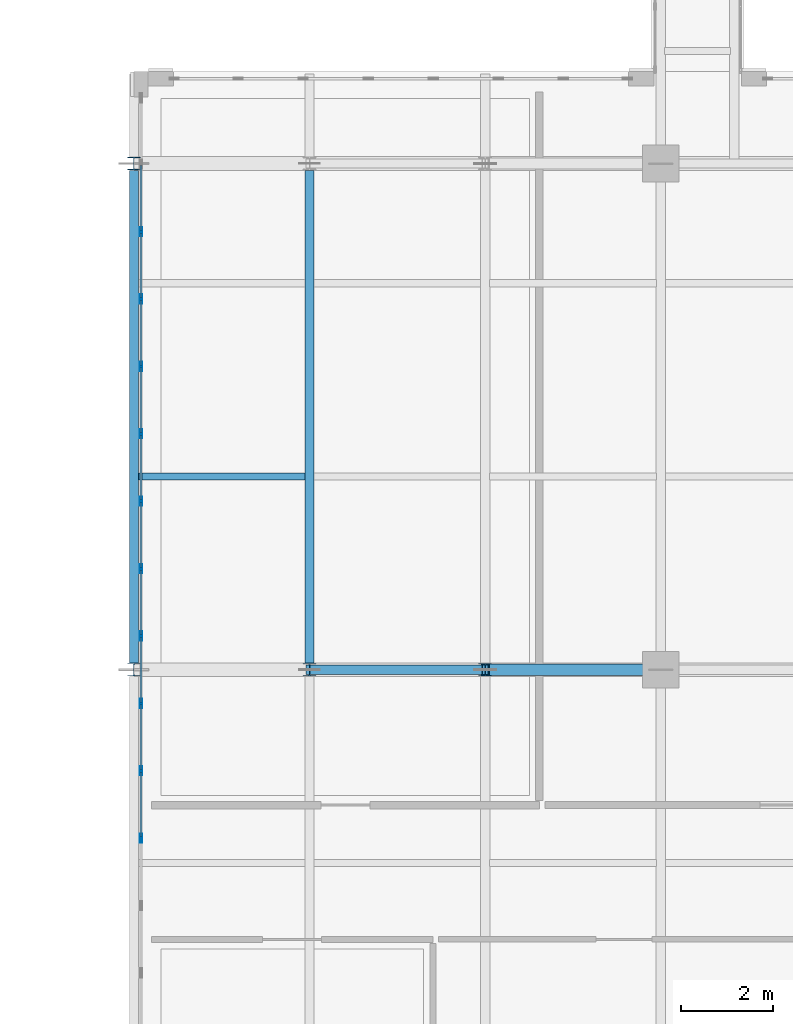
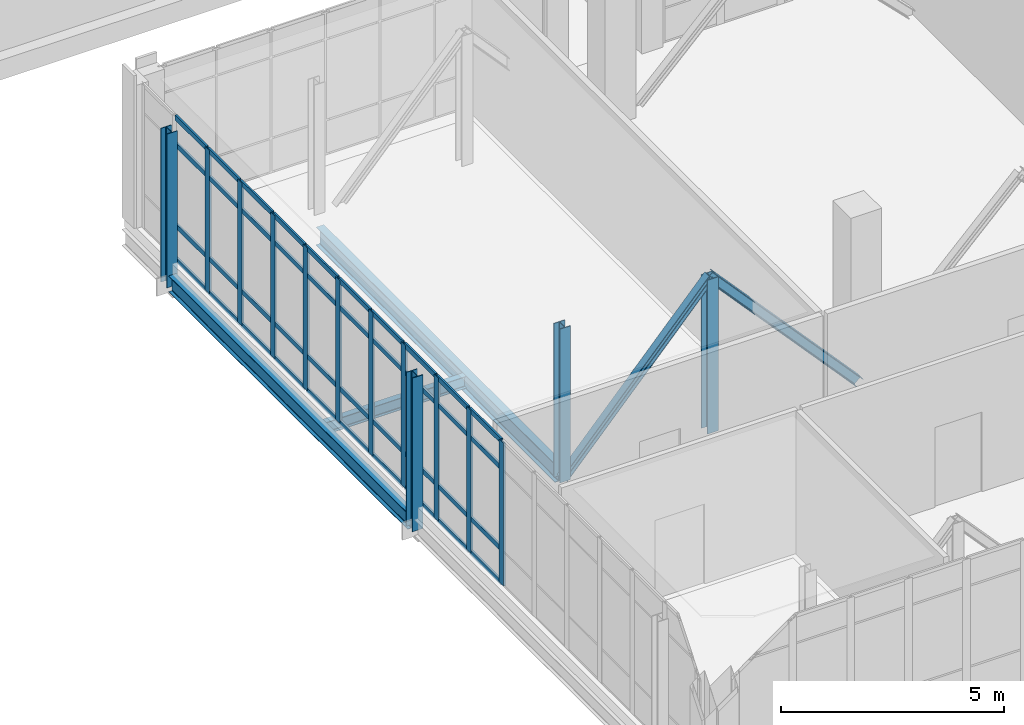
# One storey, part 6 of 193: 56 members, 3 beams, 1 element without a shape of its own.
"""IFC4 building model written with IfcOpenShell, lengths in metres."""

from ifc_helpers import new_model, si_unit, direction, frame, origin, origin_2d, place, context, subcontext, project, spatial, hollow_rectangle, i_section, extrude, material, layer, layer_set, material_profile, profile_set, type_object, element, aggregate, save


model = new_model("IFC4")

# Units and contexts
model_context = context("Model", 3, precision=1e-05, world=origin(), true_north=direction((0.0, 1.0)))
body_context = subcontext(model_context, "Body", "Model", "MODEL_VIEW")
ifc_project = project(units=[si_unit("LENGTHUNIT", "METRE"), si_unit("AREAUNIT", "SQUARE_METRE"), si_unit("VOLUMEUNIT", "CUBIC_METRE"), si_unit("PLANEANGLEUNIT", "RADIAN"), si_unit("MASSUNIT", "GRAM", prefix="KILO")], contexts=[model_context])

# Site, building, storey
site_placement = place(None, origin())
site = spatial("IfcSite", under=ifc_project, at=site_placement, CompositionType="ELEMENT")
building_placement = place(site_placement, origin())
building = spatial("IfcBuilding", under=site, at=building_placement, Name="Qalavern Law Courts", CompositionType="ELEMENT")
storey_placement = place(building_placement, frame((0.0, 0.0, 10.199951171875)))
storey = spatial("IfcBuildingStorey", under=building, at=storey_placement, Name="L02", CompositionType="ELEMENT", Elevation=10.199951171875)

# Curtain wall, members
ifc_material_1 = material(Name="Anodised aluminium and insulated glazing", Category="aluminium")
ifc_layer = layer(ifc_material_1, 0.199951171875)
ifc_layer_set = layer_set([ifc_layer], Name="Anodised aluminium and insulated glazing")
curtain_wall_type = type_object("IfcCurtainWallType", Name="ENV-CW-FOYER", PredefinedType="USERDEFINED", material=ifc_layer_set)
curtain_wall_placement = place(storey_placement, origin())
curtain_wall = element("IfcCurtainWall", 1, at=curtain_wall_placement, inside=storey, type_object=curtain_wall_type, Name="V1 unitised curtain wall L02 west 1", ObjectType="UNITISED CURTAIN WALL", PredefinedType="USERDEFINED")
ifc_material_2 = material(Name="Anodised aluminium", Category="aluminium")
ifc_material_profile_1 = material_profile(ifc_material_2, hollow_rectangle(XDim=0.048095703125, YDim=0.199951171875, WallThickness=0.00439453125, at=origin_2d()), Name="ALU MULLION 48x200")
ifc_profile_set_1 = profile_set([ifc_material_profile_1], Name="Anodised aluminium")
member_type_1 = type_object("IfcMemberType", Name="ENV-CWM-48x200", PredefinedType="MULLION", material=ifc_profile_set_1)
member_1_placement = place(storey_placement, frame((5.5048828125, 30.5205078125, 0.0), z_axis=(0.0, 0.0, 1.0), x_axis=(1.0, 0.0, 0.0)))
member_1 = element("IfcMember", 2, at=member_1_placement, type_object=member_type_1, Name="CW-01 mullion 3", PredefinedType="MULLION", context=body_context, shape_type="SweptSolid", body=[
    extrude(hollow_rectangle(XDim=0.048095703125, YDim=0.199951171875, WallThickness=0.00439453125, at=origin_2d()), origin(), (0.0, 0.0, 1.0), 3.9150390625),
])
member_2_placement = place(storey_placement, frame((5.5048828125, 29.055908203125, 0.0), z_axis=(0.0, 0.0, 1.0), x_axis=(1.0, 0.0, 0.0)))
member_2 = element("IfcMember", 3, at=member_2_placement, type_object=member_type_1, Name="CW-01 mullion 4", PredefinedType="MULLION", context=body_context, shape_type="SweptSolid", body=[
    extrude(hollow_rectangle(XDim=0.048095703125, YDim=0.199951171875, WallThickness=0.00439453125, at=origin_2d()), origin(), (0.0, 0.0, 1.0), 3.9150390625),
])
member_3_placement = place(storey_placement, frame((5.5048828125, 27.591064453125, 0.0), z_axis=(0.0, 0.0, 1.0), x_axis=(1.0, 0.0, 0.0)))
member_3 = element("IfcMember", 4, at=member_3_placement, type_object=member_type_1, Name="CW-01 mullion 5", PredefinedType="MULLION", context=body_context, shape_type="SweptSolid", body=[
    extrude(hollow_rectangle(XDim=0.048095703125, YDim=0.199951171875, WallThickness=0.00439453125, at=origin_2d()), origin(), (0.0, 0.0, 1.0), 3.9150390625),
])
member_4_placement = place(storey_placement, frame((5.5048828125, 26.12646484375, 0.0), z_axis=(0.0, 0.0, 1.0), x_axis=(1.0, 0.0, 0.0)))
member_4 = element("IfcMember", 5, at=member_4_placement, type_object=member_type_1, Name="CW-01 mullion 6", PredefinedType="MULLION", context=body_context, shape_type="SweptSolid", body=[
    extrude(hollow_rectangle(XDim=0.048095703125, YDim=0.199951171875, WallThickness=0.00439453125, at=origin_2d()), origin(), (0.0, 0.0, 1.0), 3.9150390625),
])
member_5_placement = place(storey_placement, frame((5.5048828125, 24.661865234375, 0.0), z_axis=(0.0, 0.0, 1.0), x_axis=(1.0, 0.0, 0.0)))
member_5 = element("IfcMember", 6, at=member_5_placement, type_object=member_type_1, Name="CW-01 mullion 7", PredefinedType="MULLION", context=body_context, shape_type="SweptSolid", body=[
    extrude(hollow_rectangle(XDim=0.048095703125, YDim=0.199951171875, WallThickness=0.00439453125, at=origin_2d()), origin(), (0.0, 0.0, 1.0), 3.9150390625),
])
member_6_placement = place(storey_placement, frame((5.5048828125, 23.197021484375, 0.0), z_axis=(0.0, 0.0, 1.0), x_axis=(1.0, 0.0, 0.0)))
member_6 = element("IfcMember", 7, at=member_6_placement, type_object=member_type_1, Name="CW-01 mullion 8", PredefinedType="MULLION", context=body_context, shape_type="SweptSolid", body=[
    extrude(hollow_rectangle(XDim=0.048095703125, YDim=0.199951171875, WallThickness=0.00439453125, at=origin_2d()), origin(), (0.0, 0.0, 1.0), 3.9150390625),
])
member_7_placement = place(storey_placement, frame((5.5048828125, 21.732421875, 0.0), z_axis=(0.0, 0.0, 1.0), x_axis=(1.0, 0.0, 0.0)))
member_7 = element("IfcMember", 8, at=member_7_placement, type_object=member_type_1, Name="CW-01 mullion 9", PredefinedType="MULLION", context=body_context, shape_type="SweptSolid", body=[
    extrude(hollow_rectangle(XDim=0.048095703125, YDim=0.199951171875, WallThickness=0.00439453125, at=origin_2d()), origin(), (0.0, 0.0, 1.0), 3.9150390625),
])
member_8_placement = place(storey_placement, frame((5.5048828125, 20.267578125, 0.0), z_axis=(0.0, 0.0, 1.0), x_axis=(1.0, 0.0, 0.0)))
member_8 = element("IfcMember", 9, at=member_8_placement, type_object=member_type_1, Name="CW-01 mullion 10", PredefinedType="MULLION", context=body_context, shape_type="SweptSolid", body=[
    extrude(hollow_rectangle(XDim=0.048095703125, YDim=0.199951171875, WallThickness=0.00439453125, at=origin_2d()), origin(), (0.0, 0.0, 1.0), 3.9150390625),
])
member_9_placement = place(storey_placement, frame((5.5048828125, 18.802978515625, 0.0), z_axis=(0.0, 0.0, 1.0), x_axis=(1.0, 0.0, 0.0)))
member_9 = element("IfcMember", 10, at=member_9_placement, type_object=member_type_1, Name="CW-01 mullion 11", PredefinedType="MULLION", context=body_context, shape_type="SweptSolid", body=[
    extrude(hollow_rectangle(XDim=0.048095703125, YDim=0.199951171875, WallThickness=0.00439453125, at=origin_2d()), origin(), (0.0, 0.0, 1.0), 3.9150390625),
])
member_10_placement = place(storey_placement, frame((5.5048828125, 17.338134765625, 0.0), z_axis=(0.0, 0.0, 1.0), x_axis=(1.0, 0.0, 0.0)))
member_10 = element("IfcMember", 11, at=member_10_placement, type_object=member_type_1, Name="CW-01 mullion 12", PredefinedType="MULLION", context=body_context, shape_type="SweptSolid", body=[
    extrude(hollow_rectangle(XDim=0.048095703125, YDim=0.199951171875, WallThickness=0.00439453125, at=origin_2d()), origin(), (0.0, 0.0, 1.0), 3.9150390625),
])
ifc_material_profile_2 = material_profile(ifc_material_2, hollow_rectangle(XDim=0.048095703125, YDim=0.139892578125, WallThickness=0.00390625, at=origin_2d()), Name="ALU TRANSOM 48x140")
ifc_profile_set_2 = profile_set([ifc_material_profile_2], Name="Anodised aluminium")
member_type_2 = type_object("IfcMemberType", Name="ENV-CWT-48x140", PredefinedType="USERDEFINED", material=ifc_profile_set_2)
member_11_placement = place(storey_placement, frame((5.5048828125, 31.961181640625, 0.024169921875), z_axis=(0.0, -1.0, 0.0), x_axis=(1.0, 0.0, 0.0)))
member_11 = element("IfcMember", 12, at=member_11_placement, type_object=member_type_2, Name="CW-01 transom 2.1", ObjectType="TRANSOM", PredefinedType="USERDEFINED", context=body_context, shape_type="SweptSolid", body=[
    extrude(hollow_rectangle(XDim=0.048095703125, YDim=0.139892578125, WallThickness=0.00390625, at=origin_2d()), origin(), (0.0, 0.0, 1.0), 1.41650390625),
])
member_12_placement = place(storey_placement, frame((5.5048828125, 31.961181640625, 0.949951171875), z_axis=(0.0, -1.0, 0.0), x_axis=(1.0, 0.0, 0.0)))
member_12 = element("IfcMember", 13, at=member_12_placement, type_object=member_type_2, Name="CW-01 transom 2.2", ObjectType="TRANSOM", PredefinedType="USERDEFINED", context=body_context, shape_type="SweptSolid", body=[
    extrude(hollow_rectangle(XDim=0.048095703125, YDim=0.139892578125, WallThickness=0.00390625, at=origin_2d()), origin(), (0.0, 0.0, 1.0), 1.41650390625),
])
member_13_placement = place(storey_placement, frame((5.5048828125, 31.961181640625, 3.1650390625), z_axis=(0.0, -1.0, 0.0), x_axis=(1.0, 0.0, 0.0)))
member_13 = element("IfcMember", 14, at=member_13_placement, type_object=member_type_2, Name="CW-01 transom 2.3", ObjectType="TRANSOM", PredefinedType="USERDEFINED", context=body_context, shape_type="SweptSolid", body=[
    extrude(hollow_rectangle(XDim=0.048095703125, YDim=0.139892578125, WallThickness=0.00390625, at=origin_2d()), origin(), (0.0, 0.0, 1.0), 1.41650390625),
])
member_14_placement = place(storey_placement, frame((5.5048828125, 31.961181640625, 3.89111328125), z_axis=(0.0, -1.0, 0.0), x_axis=(1.0, 0.0, 0.0)))
member_14 = element("IfcMember", 15, at=member_14_placement, type_object=member_type_2, Name="CW-01 transom 2.4", ObjectType="TRANSOM", PredefinedType="USERDEFINED", context=body_context, shape_type="SweptSolid", body=[
    extrude(hollow_rectangle(XDim=0.048095703125, YDim=0.139892578125, WallThickness=0.00390625, at=origin_2d()), origin(), (0.0, 0.0, 1.0), 1.41650390625),
])
member_15_placement = place(storey_placement, frame((5.5048828125, 30.49658203125, 0.024169921875), z_axis=(0.0, -1.0, 0.0), x_axis=(1.0, 0.0, 0.0)))
member_15 = element("IfcMember", 16, at=member_15_placement, type_object=member_type_2, Name="CW-01 transom 3.1", ObjectType="TRANSOM", PredefinedType="USERDEFINED", context=body_context, shape_type="SweptSolid", body=[
    extrude(hollow_rectangle(XDim=0.048095703125, YDim=0.139892578125, WallThickness=0.00390625, at=origin_2d()), origin(), (0.0, 0.0, 1.0), 1.416748046875),
])
member_16_placement = place(storey_placement, frame((5.5048828125, 30.49658203125, 0.949951171875), z_axis=(0.0, -1.0, 0.0), x_axis=(1.0, 0.0, 0.0)))
member_16 = element("IfcMember", 17, at=member_16_placement, type_object=member_type_2, Name="CW-01 transom 3.2", ObjectType="TRANSOM", PredefinedType="USERDEFINED", context=body_context, shape_type="SweptSolid", body=[
    extrude(hollow_rectangle(XDim=0.048095703125, YDim=0.139892578125, WallThickness=0.00390625, at=origin_2d()), origin(), (0.0, 0.0, 1.0), 1.416748046875),
])
member_17_placement = place(storey_placement, frame((5.5048828125, 30.49658203125, 3.1650390625), z_axis=(0.0, -1.0, 0.0), x_axis=(1.0, 0.0, 0.0)))
member_17 = element("IfcMember", 18, at=member_17_placement, type_object=member_type_2, Name="CW-01 transom 3.3", ObjectType="TRANSOM", PredefinedType="USERDEFINED", context=body_context, shape_type="SweptSolid", body=[
    extrude(hollow_rectangle(XDim=0.048095703125, YDim=0.139892578125, WallThickness=0.00390625, at=origin_2d()), origin(), (0.0, 0.0, 1.0), 1.416748046875),
])
member_18_placement = place(storey_placement, frame((5.5048828125, 30.49658203125, 3.89111328125), z_axis=(0.0, -1.0, 0.0), x_axis=(1.0, 0.0, 0.0)))
member_18 = element("IfcMember", 19, at=member_18_placement, type_object=member_type_2, Name="CW-01 transom 3.4", ObjectType="TRANSOM", PredefinedType="USERDEFINED", context=body_context, shape_type="SweptSolid", body=[
    extrude(hollow_rectangle(XDim=0.048095703125, YDim=0.139892578125, WallThickness=0.00390625, at=origin_2d()), origin(), (0.0, 0.0, 1.0), 1.416748046875),
])
member_19_placement = place(storey_placement, frame((5.5048828125, 29.031982421875, 0.024169921875), z_axis=(0.0, -1.0, 0.0), x_axis=(1.0, 0.0, 0.0)))
member_19 = element("IfcMember", 20, at=member_19_placement, type_object=member_type_2, Name="CW-01 transom 4.1", ObjectType="TRANSOM", PredefinedType="USERDEFINED", context=body_context, shape_type="SweptSolid", body=[
    extrude(hollow_rectangle(XDim=0.048095703125, YDim=0.139892578125, WallThickness=0.00390625, at=origin_2d()), origin(), (0.0, 0.0, 1.0), 1.416748046875),
])
member_20_placement = place(storey_placement, frame((5.5048828125, 29.031982421875, 0.949951171875), z_axis=(0.0, -1.0, 0.0), x_axis=(1.0, 0.0, 0.0)))
member_20 = element("IfcMember", 21, at=member_20_placement, type_object=member_type_2, Name="CW-01 transom 4.2", ObjectType="TRANSOM", PredefinedType="USERDEFINED", context=body_context, shape_type="SweptSolid", body=[
    extrude(hollow_rectangle(XDim=0.048095703125, YDim=0.139892578125, WallThickness=0.00390625, at=origin_2d()), origin(), (0.0, 0.0, 1.0), 1.416748046875),
])
member_21_placement = place(storey_placement, frame((5.5048828125, 29.031982421875, 3.1650390625), z_axis=(0.0, -1.0, 0.0), x_axis=(1.0, 0.0, 0.0)))
member_21 = element("IfcMember", 22, at=member_21_placement, type_object=member_type_2, Name="CW-01 transom 4.3", ObjectType="TRANSOM", PredefinedType="USERDEFINED", context=body_context, shape_type="SweptSolid", body=[
    extrude(hollow_rectangle(XDim=0.048095703125, YDim=0.139892578125, WallThickness=0.00390625, at=origin_2d()), origin(), (0.0, 0.0, 1.0), 1.416748046875),
])
member_22_placement = place(storey_placement, frame((5.5048828125, 29.031982421875, 3.89111328125), z_axis=(0.0, -1.0, 0.0), x_axis=(1.0, 0.0, 0.0)))
member_22 = element("IfcMember", 23, at=member_22_placement, type_object=member_type_2, Name="CW-01 transom 4.4", ObjectType="TRANSOM", PredefinedType="USERDEFINED", context=body_context, shape_type="SweptSolid", body=[
    extrude(hollow_rectangle(XDim=0.048095703125, YDim=0.139892578125, WallThickness=0.00390625, at=origin_2d()), origin(), (0.0, 0.0, 1.0), 1.416748046875),
])
member_23_placement = place(storey_placement, frame((5.5048828125, 27.567138671875, 0.024169921875), z_axis=(0.0, -1.0, 0.0), x_axis=(1.0, 0.0, 0.0)))
member_23 = element("IfcMember", 24, at=member_23_placement, type_object=member_type_2, Name="CW-01 transom 5.1", ObjectType="TRANSOM", PredefinedType="USERDEFINED", context=body_context, shape_type="SweptSolid", body=[
    extrude(hollow_rectangle(XDim=0.048095703125, YDim=0.139892578125, WallThickness=0.00390625, at=origin_2d()), origin(), (0.0, 0.0, 1.0), 1.416748046875),
])
member_24_placement = place(storey_placement, frame((5.5048828125, 27.567138671875, 0.949951171875), z_axis=(0.0, -1.0, 0.0), x_axis=(1.0, 0.0, 0.0)))
member_24 = element("IfcMember", 25, at=member_24_placement, type_object=member_type_2, Name="CW-01 transom 5.2", ObjectType="TRANSOM", PredefinedType="USERDEFINED", context=body_context, shape_type="SweptSolid", body=[
    extrude(hollow_rectangle(XDim=0.048095703125, YDim=0.139892578125, WallThickness=0.00390625, at=origin_2d()), origin(), (0.0, 0.0, 1.0), 1.416748046875),
])
member_25_placement = place(storey_placement, frame((5.5048828125, 27.567138671875, 3.1650390625), z_axis=(0.0, -1.0, 0.0), x_axis=(1.0, 0.0, 0.0)))
member_25 = element("IfcMember", 26, at=member_25_placement, type_object=member_type_2, Name="CW-01 transom 5.3", ObjectType="TRANSOM", PredefinedType="USERDEFINED", context=body_context, shape_type="SweptSolid", body=[
    extrude(hollow_rectangle(XDim=0.048095703125, YDim=0.139892578125, WallThickness=0.00390625, at=origin_2d()), origin(), (0.0, 0.0, 1.0), 1.416748046875),
])
member_26_placement = place(storey_placement, frame((5.5048828125, 27.567138671875, 3.89111328125), z_axis=(0.0, -1.0, 0.0), x_axis=(1.0, 0.0, 0.0)))
member_26 = element("IfcMember", 27, at=member_26_placement, type_object=member_type_2, Name="CW-01 transom 5.4", ObjectType="TRANSOM", PredefinedType="USERDEFINED", context=body_context, shape_type="SweptSolid", body=[
    extrude(hollow_rectangle(XDim=0.048095703125, YDim=0.139892578125, WallThickness=0.00390625, at=origin_2d()), origin(), (0.0, 0.0, 1.0), 1.416748046875),
])
member_27_placement = place(storey_placement, frame((5.5048828125, 26.1025390625, 0.024169921875), z_axis=(0.0, -1.0, 0.0), x_axis=(1.0, 0.0, 0.0)))
member_27 = element("IfcMember", 28, at=member_27_placement, type_object=member_type_2, Name="CW-01 transom 6.1", ObjectType="TRANSOM", PredefinedType="USERDEFINED", context=body_context, shape_type="SweptSolid", body=[
    extrude(hollow_rectangle(XDim=0.048095703125, YDim=0.139892578125, WallThickness=0.00390625, at=origin_2d()), origin(), (0.0, 0.0, 1.0), 1.416748046875),
])
member_28_placement = place(storey_placement, frame((5.5048828125, 26.1025390625, 0.949951171875), z_axis=(0.0, -1.0, 0.0), x_axis=(1.0, 0.0, 0.0)))
member_28 = element("IfcMember", 29, at=member_28_placement, type_object=member_type_2, Name="CW-01 transom 6.2", ObjectType="TRANSOM", PredefinedType="USERDEFINED", context=body_context, shape_type="SweptSolid", body=[
    extrude(hollow_rectangle(XDim=0.048095703125, YDim=0.139892578125, WallThickness=0.00390625, at=origin_2d()), origin(), (0.0, 0.0, 1.0), 1.416748046875),
])
member_29_placement = place(storey_placement, frame((5.5048828125, 26.1025390625, 3.1650390625), z_axis=(0.0, -1.0, 0.0), x_axis=(1.0, 0.0, 0.0)))
member_29 = element("IfcMember", 30, at=member_29_placement, type_object=member_type_2, Name="CW-01 transom 6.3", ObjectType="TRANSOM", PredefinedType="USERDEFINED", context=body_context, shape_type="SweptSolid", body=[
    extrude(hollow_rectangle(XDim=0.048095703125, YDim=0.139892578125, WallThickness=0.00390625, at=origin_2d()), origin(), (0.0, 0.0, 1.0), 1.416748046875),
])
member_30_placement = place(storey_placement, frame((5.5048828125, 26.1025390625, 3.89111328125), z_axis=(0.0, -1.0, 0.0), x_axis=(1.0, 0.0, 0.0)))
member_30 = element("IfcMember", 31, at=member_30_placement, type_object=member_type_2, Name="CW-01 transom 6.4", ObjectType="TRANSOM", PredefinedType="USERDEFINED", context=body_context, shape_type="SweptSolid", body=[
    extrude(hollow_rectangle(XDim=0.048095703125, YDim=0.139892578125, WallThickness=0.00390625, at=origin_2d()), origin(), (0.0, 0.0, 1.0), 1.416748046875),
])
member_31_placement = place(storey_placement, frame((5.5048828125, 24.6376953125, 0.024169921875), z_axis=(0.0, -1.0, 0.0), x_axis=(1.0, 0.0, 0.0)))
member_31 = element("IfcMember", 32, at=member_31_placement, type_object=member_type_2, Name="CW-01 transom 7.1", ObjectType="TRANSOM", PredefinedType="USERDEFINED", context=body_context, shape_type="SweptSolid", body=[
    extrude(hollow_rectangle(XDim=0.048095703125, YDim=0.139892578125, WallThickness=0.00390625, at=origin_2d()), origin(), (0.0, 0.0, 1.0), 1.416748046875),
])
member_32_placement = place(storey_placement, frame((5.5048828125, 24.6376953125, 0.949951171875), z_axis=(0.0, -1.0, 0.0), x_axis=(1.0, 0.0, 0.0)))
member_32 = element("IfcMember", 33, at=member_32_placement, type_object=member_type_2, Name="CW-01 transom 7.2", ObjectType="TRANSOM", PredefinedType="USERDEFINED", context=body_context, shape_type="SweptSolid", body=[
    extrude(hollow_rectangle(XDim=0.048095703125, YDim=0.139892578125, WallThickness=0.00390625, at=origin_2d()), origin(), (0.0, 0.0, 1.0), 1.416748046875),
])
member_33_placement = place(storey_placement, frame((5.5048828125, 24.6376953125, 3.1650390625), z_axis=(0.0, -1.0, 0.0), x_axis=(1.0, 0.0, 0.0)))
member_33 = element("IfcMember", 34, at=member_33_placement, type_object=member_type_2, Name="CW-01 transom 7.3", ObjectType="TRANSOM", PredefinedType="USERDEFINED", context=body_context, shape_type="SweptSolid", body=[
    extrude(hollow_rectangle(XDim=0.048095703125, YDim=0.139892578125, WallThickness=0.00390625, at=origin_2d()), origin(), (0.0, 0.0, 1.0), 1.416748046875),
])
member_34_placement = place(storey_placement, frame((5.5048828125, 24.6376953125, 3.89111328125), z_axis=(0.0, -1.0, 0.0), x_axis=(1.0, 0.0, 0.0)))
member_34 = element("IfcMember", 35, at=member_34_placement, type_object=member_type_2, Name="CW-01 transom 7.4", ObjectType="TRANSOM", PredefinedType="USERDEFINED", context=body_context, shape_type="SweptSolid", body=[
    extrude(hollow_rectangle(XDim=0.048095703125, YDim=0.139892578125, WallThickness=0.00390625, at=origin_2d()), origin(), (0.0, 0.0, 1.0), 1.416748046875),
])
member_35_placement = place(storey_placement, frame((5.5048828125, 23.173095703125, 0.024169921875), z_axis=(0.0, -1.0, 0.0), x_axis=(1.0, 0.0, 0.0)))
member_35 = element("IfcMember", 36, at=member_35_placement, type_object=member_type_2, Name="CW-01 transom 8.1", ObjectType="TRANSOM", PredefinedType="USERDEFINED", context=body_context, shape_type="SweptSolid", body=[
    extrude(hollow_rectangle(XDim=0.048095703125, YDim=0.139892578125, WallThickness=0.00390625, at=origin_2d()), origin(), (0.0, 0.0, 1.0), 1.416748046875),
])
member_36_placement = place(storey_placement, frame((5.5048828125, 23.173095703125, 0.949951171875), z_axis=(0.0, -1.0, 0.0), x_axis=(1.0, 0.0, 0.0)))
member_36 = element("IfcMember", 37, at=member_36_placement, type_object=member_type_2, Name="CW-01 transom 8.2", ObjectType="TRANSOM", PredefinedType="USERDEFINED", context=body_context, shape_type="SweptSolid", body=[
    extrude(hollow_rectangle(XDim=0.048095703125, YDim=0.139892578125, WallThickness=0.00390625, at=origin_2d()), origin(), (0.0, 0.0, 1.0), 1.416748046875),
])
member_37_placement = place(storey_placement, frame((5.5048828125, 23.173095703125, 3.1650390625), z_axis=(0.0, -1.0, 0.0), x_axis=(1.0, 0.0, 0.0)))
member_37 = element("IfcMember", 38, at=member_37_placement, type_object=member_type_2, Name="CW-01 transom 8.3", ObjectType="TRANSOM", PredefinedType="USERDEFINED", context=body_context, shape_type="SweptSolid", body=[
    extrude(hollow_rectangle(XDim=0.048095703125, YDim=0.139892578125, WallThickness=0.00390625, at=origin_2d()), origin(), (0.0, 0.0, 1.0), 1.416748046875),
])
member_38_placement = place(storey_placement, frame((5.5048828125, 23.173095703125, 3.89111328125), z_axis=(0.0, -1.0, 0.0), x_axis=(1.0, 0.0, 0.0)))
member_38 = element("IfcMember", 39, at=member_38_placement, type_object=member_type_2, Name="CW-01 transom 8.4", ObjectType="TRANSOM", PredefinedType="USERDEFINED", context=body_context, shape_type="SweptSolid", body=[
    extrude(hollow_rectangle(XDim=0.048095703125, YDim=0.139892578125, WallThickness=0.00390625, at=origin_2d()), origin(), (0.0, 0.0, 1.0), 1.416748046875),
])
member_39_placement = place(storey_placement, frame((5.5048828125, 21.708251953125, 0.024169921875), z_axis=(0.0, -1.0, 0.0), x_axis=(1.0, 0.0, 0.0)))
member_39 = element("IfcMember", 40, at=member_39_placement, type_object=member_type_2, Name="CW-01 transom 9.1", ObjectType="TRANSOM", PredefinedType="USERDEFINED", context=body_context, shape_type="SweptSolid", body=[
    extrude(hollow_rectangle(XDim=0.048095703125, YDim=0.139892578125, WallThickness=0.00390625, at=origin_2d()), origin(), (0.0, 0.0, 1.0), 1.41650390625),
])
member_40_placement = place(storey_placement, frame((5.5048828125, 21.708251953125, 0.949951171875), z_axis=(0.0, -1.0, 0.0), x_axis=(1.0, 0.0, 0.0)))
member_40 = element("IfcMember", 41, at=member_40_placement, type_object=member_type_2, Name="CW-01 transom 9.2", ObjectType="TRANSOM", PredefinedType="USERDEFINED", context=body_context, shape_type="SweptSolid", body=[
    extrude(hollow_rectangle(XDim=0.048095703125, YDim=0.139892578125, WallThickness=0.00390625, at=origin_2d()), origin(), (0.0, 0.0, 1.0), 1.41650390625),
])
member_41_placement = place(storey_placement, frame((5.5048828125, 21.708251953125, 3.1650390625), z_axis=(0.0, -1.0, 0.0), x_axis=(1.0, 0.0, 0.0)))
member_41 = element("IfcMember", 42, at=member_41_placement, type_object=member_type_2, Name="CW-01 transom 9.3", ObjectType="TRANSOM", PredefinedType="USERDEFINED", context=body_context, shape_type="SweptSolid", body=[
    extrude(hollow_rectangle(XDim=0.048095703125, YDim=0.139892578125, WallThickness=0.00390625, at=origin_2d()), origin(), (0.0, 0.0, 1.0), 1.41650390625),
])
member_42_placement = place(storey_placement, frame((5.5048828125, 21.708251953125, 3.89111328125), z_axis=(0.0, -1.0, 0.0), x_axis=(1.0, 0.0, 0.0)))
member_42 = element("IfcMember", 43, at=member_42_placement, type_object=member_type_2, Name="CW-01 transom 9.4", ObjectType="TRANSOM", PredefinedType="USERDEFINED", context=body_context, shape_type="SweptSolid", body=[
    extrude(hollow_rectangle(XDim=0.048095703125, YDim=0.139892578125, WallThickness=0.00390625, at=origin_2d()), origin(), (0.0, 0.0, 1.0), 1.41650390625),
])
member_43_placement = place(storey_placement, frame((5.5048828125, 20.24365234375, 0.024169921875), z_axis=(0.0, -1.0, 0.0), x_axis=(1.0, 0.0, 0.0)))
member_43 = element("IfcMember", 44, at=member_43_placement, type_object=member_type_2, Name="CW-01 transom 10.1", ObjectType="TRANSOM", PredefinedType="USERDEFINED", context=body_context, shape_type="SweptSolid", body=[
    extrude(hollow_rectangle(XDim=0.048095703125, YDim=0.139892578125, WallThickness=0.00390625, at=origin_2d()), origin(), (0.0, 0.0, 1.0), 1.416748046875),
])
member_44_placement = place(storey_placement, frame((5.5048828125, 20.24365234375, 0.949951171875), z_axis=(0.0, -1.0, 0.0), x_axis=(1.0, 0.0, 0.0)))
member_44 = element("IfcMember", 45, at=member_44_placement, type_object=member_type_2, Name="CW-01 transom 10.2", ObjectType="TRANSOM", PredefinedType="USERDEFINED", context=body_context, shape_type="SweptSolid", body=[
    extrude(hollow_rectangle(XDim=0.048095703125, YDim=0.139892578125, WallThickness=0.00390625, at=origin_2d()), origin(), (0.0, 0.0, 1.0), 1.416748046875),
])
member_45_placement = place(storey_placement, frame((5.5048828125, 20.24365234375, 3.1650390625), z_axis=(0.0, -1.0, 0.0), x_axis=(1.0, 0.0, 0.0)))
member_45 = element("IfcMember", 46, at=member_45_placement, type_object=member_type_2, Name="CW-01 transom 10.3", ObjectType="TRANSOM", PredefinedType="USERDEFINED", context=body_context, shape_type="SweptSolid", body=[
    extrude(hollow_rectangle(XDim=0.048095703125, YDim=0.139892578125, WallThickness=0.00390625, at=origin_2d()), origin(), (0.0, 0.0, 1.0), 1.416748046875),
])
member_46_placement = place(storey_placement, frame((5.5048828125, 20.24365234375, 3.89111328125), z_axis=(0.0, -1.0, 0.0), x_axis=(1.0, 0.0, 0.0)))
member_46 = element("IfcMember", 47, at=member_46_placement, type_object=member_type_2, Name="CW-01 transom 10.4", ObjectType="TRANSOM", PredefinedType="USERDEFINED", context=body_context, shape_type="SweptSolid", body=[
    extrude(hollow_rectangle(XDim=0.048095703125, YDim=0.139892578125, WallThickness=0.00390625, at=origin_2d()), origin(), (0.0, 0.0, 1.0), 1.416748046875),
])
member_47_placement = place(storey_placement, frame((5.5048828125, 18.779052734375, 0.024169921875), z_axis=(0.0, -1.0, 0.0), x_axis=(1.0, 0.0, 0.0)))
member_47 = element("IfcMember", 48, at=member_47_placement, type_object=member_type_2, Name="CW-01 transom 11.1", ObjectType="TRANSOM", PredefinedType="USERDEFINED", context=body_context, shape_type="SweptSolid", body=[
    extrude(hollow_rectangle(XDim=0.048095703125, YDim=0.139892578125, WallThickness=0.00390625, at=origin_2d()), origin(), (0.0, 0.0, 1.0), 1.416748046875),
])
member_48_placement = place(storey_placement, frame((5.5048828125, 18.779052734375, 0.949951171875), z_axis=(0.0, -1.0, 0.0), x_axis=(1.0, 0.0, 0.0)))
member_48 = element("IfcMember", 49, at=member_48_placement, type_object=member_type_2, Name="CW-01 transom 11.2", ObjectType="TRANSOM", PredefinedType="USERDEFINED", context=body_context, shape_type="SweptSolid", body=[
    extrude(hollow_rectangle(XDim=0.048095703125, YDim=0.139892578125, WallThickness=0.00390625, at=origin_2d()), origin(), (0.0, 0.0, 1.0), 1.416748046875),
])
member_49_placement = place(storey_placement, frame((5.5048828125, 18.779052734375, 3.1650390625), z_axis=(0.0, -1.0, 0.0), x_axis=(1.0, 0.0, 0.0)))
member_49 = element("IfcMember", 50, at=member_49_placement, type_object=member_type_2, Name="CW-01 transom 11.3", ObjectType="TRANSOM", PredefinedType="USERDEFINED", context=body_context, shape_type="SweptSolid", body=[
    extrude(hollow_rectangle(XDim=0.048095703125, YDim=0.139892578125, WallThickness=0.00390625, at=origin_2d()), origin(), (0.0, 0.0, 1.0), 1.416748046875),
])
member_50_placement = place(storey_placement, frame((5.5048828125, 18.779052734375, 3.89111328125), z_axis=(0.0, -1.0, 0.0), x_axis=(1.0, 0.0, 0.0)))
member_50 = element("IfcMember", 51, at=member_50_placement, type_object=member_type_2, Name="CW-01 transom 11.4", ObjectType="TRANSOM", PredefinedType="USERDEFINED", context=body_context, shape_type="SweptSolid", body=[
    extrude(hollow_rectangle(XDim=0.048095703125, YDim=0.139892578125, WallThickness=0.00390625, at=origin_2d()), origin(), (0.0, 0.0, 1.0), 1.416748046875),
])
aggregate(curtain_wall, [member_1, member_2, member_3, member_4, member_5, member_6, member_7, member_8, member_9, member_10, member_11, member_12, member_13, member_14, member_15, member_16, member_17, member_18, member_19, member_20, member_21, member_22, member_23, member_24, member_25, member_26, member_27, member_28, member_29, member_30, member_31, member_32, member_33, member_34, member_35, member_36, member_37, member_38, member_39, member_40, member_41, member_42, member_43, member_44, member_45, member_46, member_47, member_48, member_49, member_50])

# Beam
ifc_material_3 = material(Name="Steel S355", Category="steel")
ifc_material_profile_3 = material_profile(ifc_material_3, i_section(OverallWidth=0.199951171875, OverallDepth=0.5, WebThickness=0.01025390625, FlangeThickness=0.01611328125, FilletRadius=0.02099609375, at=origin_2d()), Name="IPE 500")
ifc_profile_set_3 = profile_set([ifc_material_profile_3], Name="Steel S355")
beam_type_1 = type_object("IfcBeamType", Name="STR-BM-IPE500", PredefinedType="BEAM", material=ifc_profile_set_3)
beam_1_placement = place(storey_placement, frame((9.166748046875, 21.14794921875, -0.5400390625), z_axis=(0.0, 1.0, 0.0), x_axis=(-1.0, 0.0, 0.0)))
element("IfcBeam", 52, at=beam_1_placement, inside=storey, type_object=beam_type_1, Name="Foyer transverse beam L02-7.3", PredefinedType="BEAM", context=body_context, shape_type="SweptSolid", body=[
    extrude(i_section(OverallWidth=0.199951171875, OverallDepth=0.5, WebThickness=0.01025390625, FlangeThickness=0.01611328125, FilletRadius=0.02099609375, at=origin_2d()), origin(), (0.0, 0.0, 1.0), 10.7041015625),
])

# Members
ifc_material_profile_4 = material_profile(ifc_material_3, i_section(OverallWidth=0.199951171875, OverallDepth=0.199951171875, WebThickness=0.009033203125, FlangeThickness=0.014892578125, FilletRadius=0.01806640625, at=origin_2d()), Name="HEB 200")
ifc_profile_set_4 = profile_set([ifc_material_profile_4], Name="Steel S355")
member_type_3 = type_object("IfcMemberType", Name="STR-BR-HEB200", PredefinedType="BRACE", material=ifc_profile_set_4)
member_51_placement = place(storey_placement, frame((12.9833984375, 21.0, 3.590087890625), z_axis=(-0.672079845695, 0.0, -0.740478683698), x_axis=(0.0, -1.0, 0.0)))
element("IfcMember", 53, at=member_51_placement, inside=storey, type_object=member_type_3, Name="Cantilever truss T2 diagonal L02-6", PredefinedType="BRACE", context=body_context, shape_type="SweptSolid", body=[
    extrude(i_section(OverallWidth=0.199951171875, OverallDepth=0.199951171875, WebThickness=0.009033203125, FlangeThickness=0.014892578125, FilletRadius=0.01806640625, at=origin_2d()), origin(), (0.0, 0.0, 1.0), 5.678955078125),
])
ifc_material_profile_5 = material_profile(ifc_material_3, i_section(OverallWidth=0.239990234375, OverallDepth=0.239990234375, WebThickness=0.010009765625, FlangeThickness=0.01708984375, FilletRadius=0.02099609375, at=origin_2d()), Name="HEB 240")
ifc_profile_set_5 = profile_set([ifc_material_profile_5], Name="Steel S355")
member_type_4 = type_object("IfcMemberType", Name="STR-BR-HEB240", PredefinedType="BRACE", material=ifc_profile_set_5)
member_52_placement = place(storey_placement, frame((16.800048828125, 21.0, -0.614990234375), z_axis=(-0.672079845695, 0.0, 0.740478683698), x_axis=(0.0, -1.0, 0.0)))
element("IfcMember", 54, at=member_52_placement, inside=storey, type_object=member_type_4, Name="Cantilever truss T2 diagonal L02-5", PredefinedType="BRACE", context=body_context, shape_type="SweptSolid", body=[
    extrude(i_section(OverallWidth=0.239990234375, OverallDepth=0.239990234375, WebThickness=0.010009765625, FlangeThickness=0.01708984375, FilletRadius=0.02099609375, at=origin_2d()), origin(), (0.0, 0.0, 1.0), 5.678955078125),
])

# Beam
ifc_material_profile_6 = material_profile(ifc_material_3, i_section(OverallWidth=0.159912109375, OverallDepth=0.330078125, WebThickness=0.007568359375, FlangeThickness=0.011474609375, FilletRadius=0.01806640625, at=origin_2d()), Name="IPE 330")
ifc_profile_set_6 = profile_set([ifc_material_profile_6], Name="Steel S355")
beam_type_2 = type_object("IfcBeamType", Name="STR-JST-IPE330", PredefinedType="JOIST", material=ifc_profile_set_6)
beam_2_placement = place(storey_placement, frame((5.447998046875, 25.199951171875, -0.454833984375), z_axis=(1.0, 0.0, 0.0), x_axis=(0.0, 1.0, 0.0)))
element("IfcBeam", 55, at=beam_2_placement, inside=storey, type_object=beam_type_2, Name="Foyer floor joist L02-7.3", PredefinedType="JOIST", context=body_context, shape_type="SweptSolid", body=[
    extrude(i_section(OverallWidth=0.159912109375, OverallDepth=0.330078125, WebThickness=0.007568359375, FlangeThickness=0.011474609375, FilletRadius=0.01806640625, at=origin_2d()), origin(), (0.0, 0.0, 1.0), 3.62060546875),
])

# Members
ifc_material_profile_7 = material_profile(ifc_material_3, i_section(OverallWidth=0.280029296875, OverallDepth=0.280029296875, WebThickness=0.010498046875, FlangeThickness=0.01806640625, FilletRadius=0.02392578125, at=origin_2d()), Name="HEB 280")
ifc_profile_set_7 = profile_set([ifc_material_profile_7], Name="Steel S355")
member_type_5 = type_object("IfcMemberType", Name="STR-POST-HEB280", PredefinedType="POST", material=ifc_profile_set_7)
for number, where, z_axis, x_axis, name in (
    (56, (12.9833984375, 21.0, -0.614990234375), (0.0, 0.0, 1.0), (1.0, 0.0, 0.0), "Cantilever truss T2 post L02-1"),
    (57, (9.166748046875, 21.0, -0.614990234375), (0.0, 0.0, 1.0), (1.0, 0.0, 0.0), "Cantilever truss T2 post L02-2"),
    (58, (5.35009765625, 21.0, -0.614990234375), (0.0, 0.0, 1.0), (1.0, 0.0, 0.0), "Cantilever truss T2 post L02-3"),
    (59, (5.35009765625, 32.0, -0.614990234375), (0.0, 0.0, 1.0), (1.0, 0.0, 0.0), "Cantilever truss T3 post L02-3"),
):
    element("IfcMember", number, at=place(storey_placement, frame(where, z_axis=z_axis, x_axis=x_axis)), inside=storey, type_object=member_type_5, Name=name, PredefinedType="POST", context=body_context, shape_type="SweptSolid", body=[
        extrude(i_section(OverallWidth=0.280029296875, OverallDepth=0.280029296875, WebThickness=0.010498046875, FlangeThickness=0.01806640625, FilletRadius=0.02392578125, at=origin_2d()), origin(), (0.0, 0.0, 1.0), 4.205078125),
    ])

# Beam
ifc_material_profile_8 = material_profile(ifc_material_3, i_section(OverallWidth=0.18994140625, OverallDepth=0.449951171875, WebThickness=0.009521484375, FlangeThickness=0.0146484375, FilletRadius=0.02099609375, at=origin_2d()), Name="IPE 450")
ifc_profile_set_8 = profile_set([ifc_material_profile_8], Name="Steel S355")
beam_type_3 = type_object("IfcBeamType", Name="STR-SP-IPE450", PredefinedType="SPANDREL", material=ifc_profile_set_8)
beam_3_placement = place(storey_placement, frame((5.35009765625, 21.14794921875, -0.514892578125), z_axis=(0.0, 1.0, 0.0), x_axis=(-1.0, 0.0, 0.0)))
element("IfcBeam", 60, at=beam_3_placement, inside=storey, type_object=beam_type_3, Name="Foyer transverse beam L02-8.3", PredefinedType="SPANDREL", context=body_context, shape_type="SweptSolid", body=[
    extrude(i_section(OverallWidth=0.18994140625, OverallDepth=0.449951171875, WebThickness=0.009521484375, FlangeThickness=0.0146484375, FilletRadius=0.02099609375, at=origin_2d()), origin(), (0.0, 0.0, 1.0), 10.7041015625),
])

save(model, "model.ifc")
